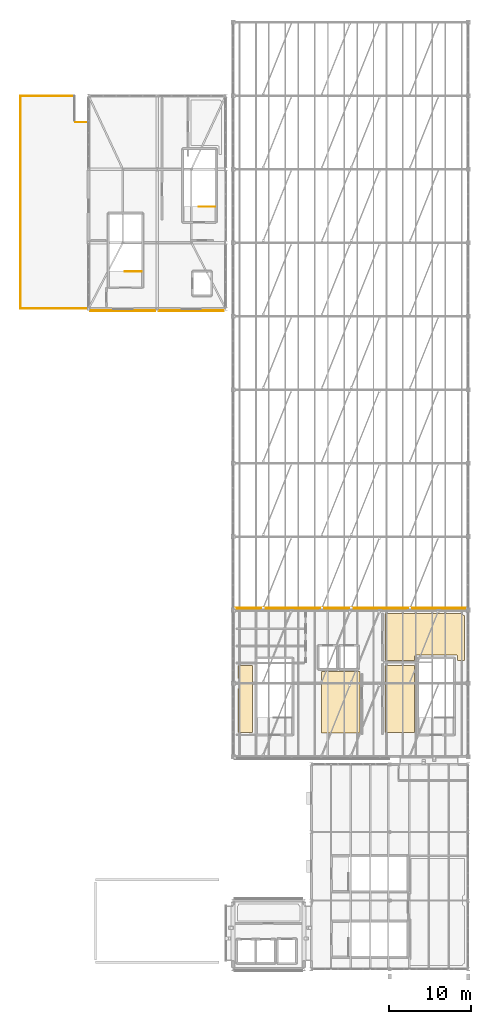
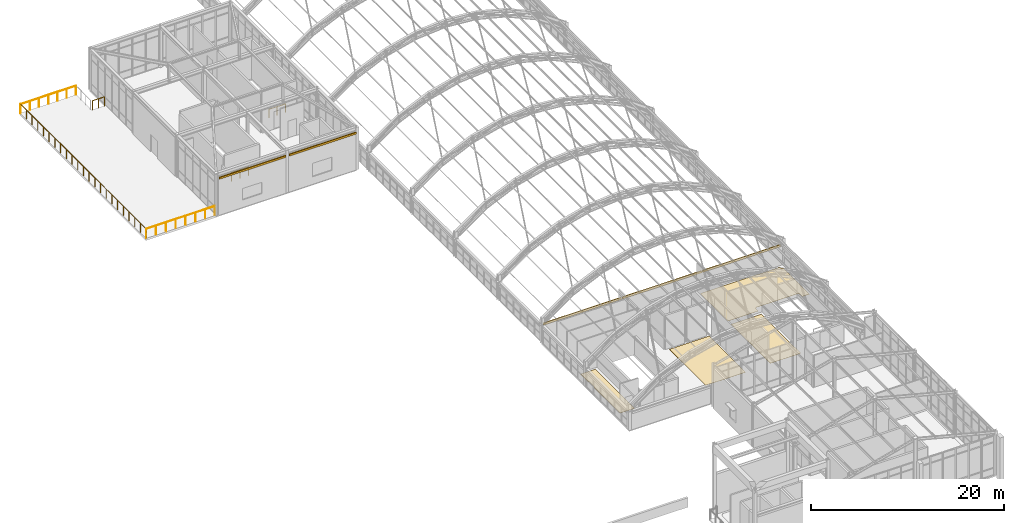
# One storey, part 120 of 121: 9 coverings, 6 railings.
"""IFC4 building model written with IfcOpenShell, lengths in metres."""

from ifc_helpers import new_model, si_unit, direction, frame, origin, origin_2d, place, context, subcontext, project, spatial, polyline, rectangle, circle, outline, extrude, material, layer, layer_set, type_object, element, save


model = new_model("IFC4")

# Units and contexts
model_context = context("Model", 3, precision=1e-05, world=origin(), true_north=direction((0.0, 1.0)))
body_context = subcontext(model_context, "Body", "Model", "MODEL_VIEW")
ifc_project = project(units=[si_unit("LENGTHUNIT", "METRE"), si_unit("AREAUNIT", "SQUARE_METRE"), si_unit("VOLUMEUNIT", "CUBIC_METRE"), si_unit("PLANEANGLEUNIT", "RADIAN"), si_unit("MASSUNIT", "GRAM", prefix="KILO")], contexts=[model_context])

# Site, building, storey
site_placement = place(None, origin())
site = spatial("IfcSite", under=ifc_project, at=site_placement, CompositionType="ELEMENT")
building_placement = place(site_placement, origin())
building = spatial("IfcBuilding", under=site, at=building_placement, Name="Canglan Escarpment Cableway Terminal", CompositionType="ELEMENT")
storey_placement = place(building_placement, frame((0.0, 0.0, 24.60009765625)))
storey = spatial("IfcBuildingStorey", under=building, at=storey_placement, Name="L05", CompositionType="ELEMENT", Elevation=24.60009765625)

# Coverings
ifc_material_1 = material(Name="Carved classical limestone cornice", Category="masonry")
ifc_layer_1 = layer(ifc_material_1, 0.1201171875, Name="Carved classical limestone cornice")
ifc_layer_set_1 = layer_set([ifc_layer_1], Name="Carved classical limestone cornice")
covering_type_1 = type_object("IfcCoveringType", Name="COV-CORNICE-STONE", PredefinedType="CLADDING", material=ifc_layer_set_1)
covering_1_placement = place(storey_placement, frame((124.114013671875, 88.669921875, 4.62109375), z_axis=(0.0, 0.0, 1.0), x_axis=(1.0, 0.0, 0.0)))
element("IfcCovering", 1, at=covering_1_placement, inside=storey, type_object=covering_type_1, Name="Classical carved limestone cornice CL-01", PredefinedType="CLADDING", context=body_context, shape_type="SweptSolid", body=[
    extrude(rectangle(XDim=7.97216796875, YDim=0.1201171875, at=origin_2d()), origin(), (0.0, 0.0, 1.0), 0.239990234375),
])
covering_2_placement = place(storey_placement, frame((132.487548828125, 88.669921875, 4.62109375), z_axis=(0.0, 0.0, 1.0), x_axis=(1.0, 0.0, 0.0)))
element("IfcCovering", 2, at=covering_2_placement, inside=storey, type_object=covering_type_1, Name="Classical carved limestone cornice CL-01", PredefinedType="CLADDING", context=body_context, shape_type="SweptSolid", body=[
    extrude(rectangle(XDim=7.97509765625, YDim=0.1201171875, at=origin_2d()), origin(), (0.0, 0.0, 1.0), 0.239990234375),
])
covering_3_placement = place(storey_placement, frame((142.487548828125, 52.219970703125, 2.08984375), z_axis=(0.0, 0.0, 1.0), x_axis=(-1.0, 0.0, 0.0)))
element("IfcCovering", 3, at=covering_3_placement, inside=storey, type_object=covering_type_1, Name="Classical carved limestone cornice CL-01", PredefinedType="CLADDING", context=body_context, shape_type="SweptSolid", body=[
    extrude(rectangle(XDim=9.324951171875, YDim=0.1201171875, at=origin_2d()), origin(), (0.0, 0.0, 1.0), 0.239990234375),
])
covering_4_placement = place(storey_placement, frame((152.0, 52.219970703125, 2.08984375), z_axis=(0.0, 0.0, 1.0), x_axis=(-1.0, 0.0, 0.0)))
element("IfcCovering", 4, at=covering_4_placement, inside=storey, type_object=covering_type_1, Name="Classical carved limestone cornice CL-01", PredefinedType="CLADDING", context=body_context, shape_type="SweptSolid", body=[
    extrude(rectangle(XDim=9.5, YDim=0.1201171875, at=origin_2d()), origin(), (0.0, 0.0, 1.0), 0.239990234375),
])
covering_5_placement = place(storey_placement, frame((161.512451171875, 52.219970703125, 2.08984375), z_axis=(0.0, 0.0, 1.0), x_axis=(-1.0, 0.0, 0.0)))
element("IfcCovering", 5, at=covering_5_placement, inside=storey, type_object=covering_type_1, Name="Classical carved limestone cornice CL-01", PredefinedType="CLADDING", context=body_context, shape_type="SweptSolid", body=[
    extrude(rectangle(XDim=9.324951171875, YDim=0.1201171875, at=origin_2d()), origin(), (0.0, 0.0, 1.0), 0.239990234375),
])
ifc_material_2 = material(Name="Honed Sichuan grey granite flooring", Category="masonry")
ifc_layer_2 = layer(ifc_material_2, 0.02001953125, Name="Honed Sichuan grey granite flooring")
ifc_layer_set_2 = layer_set([ifc_layer_2], Name="Honed Sichuan grey granite flooring")
covering_type_2 = type_object("IfcCoveringType", Name="COV-FLR-GRANITE-20", PredefinedType="FLOORING", material=ifc_layer_set_2)
covering_6_placement = place(storey_placement, origin())
element("IfcCovering", 6, at=covering_6_placement, inside=storey, type_object=covering_type_2, Name="Ropeway Dispatch Control Bridge stone floor finish", PredefinedType="FLOORING", context=body_context, shape_type="SweptSolid", body=[
    extrude(outline(polyline([(165.1201171875, 45.820068359375), (165.117919921875, 45.820068359375), (165.1162109375, 45.8203125), (165.1142578125, 45.82080078125), (165.1123046875, 45.821533203125), (165.110595703125, 45.822509765625), (165.10888671875, 45.823486328125), (165.107421875, 45.824462890625), (165.10595703125, 45.825927734375), (165.1044921875, 45.827392578125), (165.103515625, 45.828857421875), (165.102294921875, 45.83056640625), (165.1015625, 45.832275390625), (165.100830078125, 45.834228515625), (165.100341796875, 45.836181640625), (165.10009765625, 45.837890625), (165.10009765625, 45.840087890625), (165.10009765625, 46.27978515625), (165.10009765625, 46.2802734375), (165.09912109375, 46.301025390625), (165.098876953125, 46.302001953125), (165.095703125, 46.322509765625), (165.095703125, 46.323486328125), (165.090576171875, 46.343505859375), (165.09033203125, 46.34423828125), (165.08349609375, 46.36376953125), (165.0830078125, 46.364501953125), (165.07421875, 46.38330078125), (165.07373046875, 46.384033203125), (165.063232421875, 46.40185546875), (165.0625, 46.402587890625), (165.05029296875, 46.419189453125), (165.0498046875, 46.419921875), (165.035888671875, 46.435302734375), (165.03515625, 46.435791015625), (165.02001953125, 46.44970703125), (165.019287109375, 46.450439453125), (165.002685546875, 46.462646484375), (165.001708984375, 46.463134765625), (164.984130859375, 46.473876953125), (164.9833984375, 46.47412109375), (164.964599609375, 46.48291015625), (164.963623046875, 46.4833984375), (164.9443359375, 46.490478515625), (164.943359375, 46.490478515625), (164.92333984375, 46.49560546875), (164.92236328125, 46.495849609375), (164.902099609375, 46.498779296875), (164.901123046875, 46.4990234375), (164.880126953125, 46.5), (164.8798828125, 46.5), (160.0703125, 46.5), (160.06982421875, 46.5), (160.048828125, 46.4990234375), (160.048095703125, 46.498779296875), (160.027587890625, 46.495849609375), (160.026611328125, 46.49560546875), (160.006591796875, 46.490478515625), (160.005615234375, 46.490478515625), (159.986328125, 46.4833984375), (159.9853515625, 46.48291015625), (159.966796875, 46.47412109375), (159.9658203125, 46.473876953125), (159.9482421875, 46.463134765625), (159.947509765625, 46.462646484375), (159.930908203125, 46.450439453125), (159.93017578125, 46.44970703125), (159.914794921875, 46.435791015625), (159.9140625, 46.435302734375), (159.900390625, 46.419921875), (159.899658203125, 46.419189453125), (159.887451171875, 46.402587890625), (159.88671875, 46.40185546875), (159.876220703125, 46.384033203125), (159.875732421875, 46.38330078125), (159.866943359375, 46.364501953125), (159.86669921875, 46.36376953125), (159.859619140625, 46.34423828125), (159.859375, 46.343505859375), (159.854248046875, 46.323486328125), (159.854248046875, 46.322509765625), (159.85107421875, 46.302001953125), (159.85107421875, 46.301025390625), (159.85009765625, 46.2802734375), (159.85009765625, 46.27978515625), (159.85009765625, 45.840087890625), (159.849853515625, 45.837890625), (159.849609375, 45.836181640625), (159.84912109375, 45.834228515625), (159.848388671875, 45.832275390625), (159.84765625, 45.83056640625), (159.8466796875, 45.828857421875), (159.845458984375, 45.827392578125), (159.843994140625, 45.825927734375), (159.8427734375, 45.824462890625), (159.841064453125, 45.823486328125), (159.83935546875, 45.822509765625), (159.837646484375, 45.821533203125), (159.835693359375, 45.82080078125), (159.833984375, 45.8203125), (159.83203125, 45.820068359375), (159.830078125, 45.820068359375), (156.239990234375, 45.820068359375), (156.238037109375, 45.820068359375), (156.236083984375, 45.8203125), (156.234130859375, 45.82080078125), (156.232421875, 45.821533203125), (156.230712890625, 45.822509765625), (156.22900390625, 45.823486328125), (156.227294921875, 45.824462890625), (156.225830078125, 45.825927734375), (156.224609375, 45.827392578125), (156.223388671875, 45.828857421875), (156.222412109375, 45.83056640625), (156.221435546875, 45.832275390625), (156.220947265625, 45.834228515625), (156.220458984375, 45.836181640625), (156.22021484375, 45.837890625), (156.219970703125, 45.840087890625), (156.219970703125, 51.56005859375), (156.22021484375, 51.56201171875), (156.220458984375, 51.56396484375), (156.220947265625, 51.56591796875), (156.221435546875, 51.567626953125), (156.222412109375, 51.5693359375), (156.223388671875, 51.571044921875), (156.224609375, 51.57275390625), (156.225830078125, 51.57421875), (156.227294921875, 51.575439453125), (156.22900390625, 51.57666015625), (156.230712890625, 51.57763671875), (156.232421875, 51.57861328125), (156.234130859375, 51.5791015625), (156.236083984375, 51.57958984375), (156.238037109375, 51.579833984375), (156.239990234375, 51.580078125), (165.699951171875, 51.580078125), (165.701904296875, 51.579833984375), (165.703857421875, 51.57958984375), (165.705810546875, 51.5791015625), (165.707763671875, 51.57861328125), (165.70947265625, 51.57763671875), (165.711181640625, 51.57666015625), (165.712646484375, 51.575439453125), (165.714111328125, 51.57421875), (165.715576171875, 51.57275390625), (165.716552734375, 51.571044921875), (165.717529296875, 51.5693359375), (165.718505859375, 51.567626953125), (165.718994140625, 51.56591796875), (165.719482421875, 51.56396484375), (165.719970703125, 51.56201171875), (165.719970703125, 51.56005859375), (165.719970703125, 51.540283203125), (165.719970703125, 51.539794921875), (165.720947265625, 51.518798828125), (165.72119140625, 51.51806640625), (165.72412109375, 51.49755859375), (165.724365234375, 51.49658203125), (165.7294921875, 51.4765625), (165.7294921875, 51.4755859375), (165.736572265625, 51.456298828125), (165.737060546875, 51.455322265625), (165.745849609375, 51.436767578125), (165.74609375, 51.435791015625), (165.7568359375, 51.418212890625), (165.75732421875, 51.41748046875), (165.76953125, 51.40087890625), (165.770263671875, 51.400146484375), (165.7841796875, 51.384765625), (165.784912109375, 51.384033203125), (165.800048828125, 51.370361328125), (165.80078125, 51.36962890625), (165.8173828125, 51.357421875), (165.818115234375, 51.356689453125), (165.8359375, 51.34619140625), (165.836669921875, 51.345703125), (165.85546875, 51.3369140625), (165.856201171875, 51.336669921875), (165.875732421875, 51.32958984375), (165.876708984375, 51.329345703125), (165.896484375, 51.32421875), (165.897705078125, 51.32421875), (165.91796875, 51.321044921875), (165.9189453125, 51.321044921875), (165.939697265625, 51.320068359375), (165.940185546875, 51.320068359375), (165.9599609375, 51.320068359375), (165.9619140625, 51.31982421875), (165.9638671875, 51.319580078125), (165.9658203125, 51.319091796875), (165.9677734375, 51.318603515625), (165.969482421875, 51.317626953125), (165.97119140625, 51.316650390625), (165.97265625, 51.3154296875), (165.97412109375, 51.314208984375), (165.9755859375, 51.312744140625), (165.9765625, 51.31103515625), (165.9775390625, 51.309326171875), (165.978515625, 51.3076171875), (165.97900390625, 51.305908203125), (165.9794921875, 51.303955078125), (165.97998046875, 51.302001953125), (165.97998046875, 51.300048828125), (165.97998046875, 45.840087890625), (165.97998046875, 45.837890625), (165.9794921875, 45.836181640625), (165.97900390625, 45.834228515625), (165.978515625, 45.832275390625), (165.9775390625, 45.83056640625), (165.9765625, 45.828857421875), (165.9755859375, 45.827392578125), (165.97412109375, 45.825927734375), (165.97265625, 45.824462890625), (165.97119140625, 45.823486328125), (165.969482421875, 45.822509765625), (165.9677734375, 45.821533203125), (165.9658203125, 45.82080078125), (165.9638671875, 45.8203125), (165.9619140625, 45.820068359375), (165.9599609375, 45.820068359375), (165.1201171875, 45.820068359375)])), origin(), (0.0, 0.0, 1.0), 0.02001953125),
])
covering_7_placement = place(storey_placement, origin())
element("IfcCovering", 7, at=covering_7_placement, inside=storey, type_object=covering_type_2, Name="Line Safety Command Room stone floor finish", PredefinedType="FLOORING", context=body_context, shape_type="SweptSolid", body=[
    extrude(outline(polyline([(156.219970703125, 45.159912109375), (156.22021484375, 45.162109375), (156.220458984375, 45.163818359375), (156.220947265625, 45.165771484375), (156.221435546875, 45.167724609375), (156.222412109375, 45.16943359375), (156.223388671875, 45.171142578125), (156.224609375, 45.172607421875), (156.225830078125, 45.174072265625), (156.227294921875, 45.175537109375), (156.22900390625, 45.176513671875), (156.230712890625, 45.177490234375), (156.232421875, 45.178466796875), (156.234130859375, 45.17919921875), (156.236083984375, 45.1796875), (156.238037109375, 45.179931640625), (156.239990234375, 45.179931640625), (159.830078125, 45.179931640625), (159.83203125, 45.179931640625), (159.833984375, 45.1796875), (159.835693359375, 45.17919921875), (159.837646484375, 45.178466796875), (159.83935546875, 45.177490234375), (159.841064453125, 45.176513671875), (159.8427734375, 45.175537109375), (159.843994140625, 45.174072265625), (159.845458984375, 45.172607421875), (159.8466796875, 45.171142578125), (159.84765625, 45.16943359375), (159.848388671875, 45.167724609375), (159.84912109375, 45.165771484375), (159.849609375, 45.163818359375), (159.849853515625, 45.162109375), (159.85009765625, 45.159912109375), (159.85009765625, 37.0400390625), (159.849853515625, 37.0380859375), (159.849609375, 37.0361328125), (159.84912109375, 37.0341796875), (159.848388671875, 37.0322265625), (159.84765625, 37.030517578125), (159.8466796875, 37.02880859375), (159.845458984375, 37.02734375), (159.843994140625, 37.02587890625), (159.8427734375, 37.0244140625), (159.841064453125, 37.0234375), (159.83935546875, 37.0224609375), (159.837646484375, 37.021484375), (159.835693359375, 37.02099609375), (159.833984375, 37.0205078125), (159.83203125, 37.02001953125), (159.830078125, 37.02001953125), (156.239990234375, 37.02001953125), (156.238037109375, 37.02001953125), (156.236083984375, 37.0205078125), (156.234130859375, 37.02099609375), (156.232421875, 37.021484375), (156.230712890625, 37.0224609375), (156.22900390625, 37.0234375), (156.227294921875, 37.0244140625), (156.225830078125, 37.02587890625), (156.224609375, 37.02734375), (156.223388671875, 37.02880859375), (156.222412109375, 37.030517578125), (156.221435546875, 37.0322265625), (156.220947265625, 37.0341796875), (156.220458984375, 37.0361328125), (156.22021484375, 37.0380859375), (156.219970703125, 37.0400390625), (156.219970703125, 45.159912109375)])), origin(), (0.0, 0.0, 1.0), 0.02001953125),
])
ifc_material_3 = material(Name="Polished mineral terrazzo flooring", Category="concrete")
ifc_layer_3 = layer(ifc_material_3, 0.02001953125, Name="Polished mineral terrazzo flooring")
ifc_layer_set_3 = layer_set([ifc_layer_3], Name="Polished mineral terrazzo flooring")
covering_type_3 = type_object("IfcCoveringType", Name="COV-FLR-TERRAZZO-20", PredefinedType="FLOORING", material=ifc_layer_set_3)
covering_8_placement = place(storey_placement, origin())
element("IfcCovering", 8, at=covering_8_placement, inside=storey, type_object=covering_type_3, Name="Cloud Sea Tea Salon stone floor finish", PredefinedType="FLOORING", context=body_context, shape_type="SweptSolid", body=[
    extrude(outline(polyline([(138.219970703125, 42.381591796875), (138.22021484375, 42.3837890625), (138.220458984375, 42.3857421875), (138.220947265625, 42.3876953125), (138.2216796875, 42.389892578125), (138.22265625, 42.3916015625), (138.223876953125, 42.393310546875), (138.22509765625, 42.39501953125), (138.229736328125, 42.400146484375), (138.23046875, 42.40087890625), (138.24267578125, 42.41748046875), (138.2431640625, 42.418212890625), (138.25390625, 42.435791015625), (138.254150390625, 42.436767578125), (138.262939453125, 42.455322265625), (138.263427734375, 42.456298828125), (138.2705078125, 42.4755859375), (138.2705078125, 42.4765625), (138.275634765625, 42.49658203125), (138.27587890625, 42.49755859375), (138.27880859375, 42.51806640625), (138.279052734375, 42.518798828125), (138.280029296875, 42.539794921875), (138.280029296875, 42.540283203125), (138.280029296875, 43.459716796875), (138.280029296875, 43.460205078125), (138.279052734375, 43.481201171875), (138.27880859375, 43.48193359375), (138.27587890625, 43.50244140625), (138.275634765625, 43.50341796875), (138.2705078125, 43.5234375), (138.2705078125, 43.5244140625), (138.263427734375, 43.543701171875), (138.262939453125, 43.544677734375), (138.254150390625, 43.563232421875), (138.25390625, 43.564208984375), (138.2431640625, 43.581787109375), (138.24267578125, 43.58251953125), (138.23046875, 43.59912109375), (138.229736328125, 43.599853515625), (138.22509765625, 43.60498046875), (138.223876953125, 43.606689453125), (138.22265625, 43.6083984375), (138.2216796875, 43.610107421875), (138.220947265625, 43.6123046875), (138.220458984375, 43.6142578125), (138.22021484375, 43.6162109375), (138.219970703125, 43.618408203125), (138.219970703125, 45.159912109375), (138.22021484375, 45.162109375), (138.220458984375, 45.163818359375), (138.220947265625, 45.165771484375), (138.221435546875, 45.167724609375), (138.222412109375, 45.16943359375), (138.223388671875, 45.171142578125), (138.224609375, 45.172607421875), (138.225830078125, 45.174072265625), (138.227294921875, 45.175537109375), (138.22900390625, 45.176513671875), (138.230712890625, 45.177490234375), (138.232421875, 45.178466796875), (138.234130859375, 45.17919921875), (138.236083984375, 45.1796875), (138.238037109375, 45.179931640625), (138.239990234375, 45.179931640625), (139.9599609375, 45.179931640625), (139.9619140625, 45.179931640625), (139.9638671875, 45.1796875), (139.9658203125, 45.17919921875), (139.9677734375, 45.178466796875), (139.969482421875, 45.177490234375), (139.97119140625, 45.176513671875), (139.97265625, 45.175537109375), (139.97412109375, 45.174072265625), (139.9755859375, 45.172607421875), (139.9765625, 45.171142578125), (139.9775390625, 45.16943359375), (139.978515625, 45.167724609375), (139.97900390625, 45.165771484375), (139.9794921875, 45.163818359375), (139.97998046875, 45.162109375), (139.97998046875, 45.159912109375), (139.97998046875, 37.0400390625), (139.97998046875, 37.0380859375), (139.9794921875, 37.0361328125), (139.97900390625, 37.0341796875), (139.978515625, 37.0322265625), (139.9775390625, 37.030517578125), (139.9765625, 37.02880859375), (139.9755859375, 37.02734375), (139.97412109375, 37.02587890625), (139.97265625, 37.0244140625), (139.97119140625, 37.0234375), (139.969482421875, 37.0224609375), (139.9677734375, 37.021484375), (139.9658203125, 37.02099609375), (139.9638671875, 37.0205078125), (139.9619140625, 37.02001953125), (139.9599609375, 37.02001953125), (138.239990234375, 37.02001953125), (138.238037109375, 37.02001953125), (138.236083984375, 37.0205078125), (138.234130859375, 37.02099609375), (138.232421875, 37.021484375), (138.230712890625, 37.0224609375), (138.22900390625, 37.0234375), (138.227294921875, 37.0244140625), (138.225830078125, 37.02587890625), (138.224609375, 37.02734375), (138.223388671875, 37.02880859375), (138.222412109375, 37.030517578125), (138.221435546875, 37.0322265625), (138.220947265625, 37.0341796875), (138.220458984375, 37.0361328125), (138.22021484375, 37.0380859375), (138.219970703125, 37.0400390625), (138.219970703125, 42.381591796875)])), origin(), (0.0, 0.0, 1.0), 0.02001953125),
])
covering_9_placement = place(storey_placement, origin())
element("IfcCovering", 9, at=covering_9_placement, inside=storey, type_object=covering_type_3, Name="Executive Briefing Room stone floor finish", PredefinedType="FLOORING", context=body_context, shape_type="SweptSolid", body=[
    extrude(outline(polyline([(150.493408203125, 44.472900390625), (150.4951171875, 44.473388671875), (150.4970703125, 44.473876953125), (150.4990234375, 44.47412109375), (150.5009765625, 44.47412109375), (150.5029296875, 44.473876953125), (150.5048828125, 44.473388671875), (150.506591796875, 44.472900390625), (150.515625, 44.469482421875), (150.5166015625, 44.469482421875), (150.53662109375, 44.46435546875), (150.53759765625, 44.464111328125), (150.55810546875, 44.461181640625), (150.558837890625, 44.4609375), (150.579833984375, 44.4599609375), (150.580078125, 44.4599609375), (153.019775390625, 44.4599609375), (153.020263671875, 44.4599609375), (153.041015625, 44.4609375), (153.0419921875, 44.461181640625), (153.0625, 44.464111328125), (153.0634765625, 44.46435546875), (153.08349609375, 44.469482421875), (153.084228515625, 44.469482421875), (153.103759765625, 44.4765625), (153.1044921875, 44.47705078125), (153.123291015625, 44.48583984375), (153.1240234375, 44.486083984375), (153.141845703125, 44.496826171875), (153.142578125, 44.497314453125), (153.148193359375, 44.50146484375), (153.14990234375, 44.50244140625), (153.151611328125, 44.50341796875), (153.1533203125, 44.504150390625), (153.1552734375, 44.5048828125), (153.1572265625, 44.505126953125), (153.1591796875, 44.50537109375), (153.161376953125, 44.50537109375), (153.163330078125, 44.505126953125), (153.165283203125, 44.504638671875), (153.167236328125, 44.50390625), (153.1689453125, 44.503173828125), (153.170654296875, 44.502197265625), (153.17236328125, 44.501220703125), (153.173828125, 44.499755859375), (153.17529296875, 44.498291015625), (153.176513671875, 44.49658203125), (153.177490234375, 44.4951171875), (153.178466796875, 44.4931640625), (153.17919921875, 44.4912109375), (153.1796875, 44.4892578125), (153.179931640625, 44.4873046875), (153.179931640625, 44.4853515625), (153.179931640625, 36.93994140625), (153.179931640625, 36.93798828125), (153.1796875, 36.93603515625), (153.17919921875, 36.93408203125), (153.178466796875, 36.932373046875), (153.177490234375, 36.9306640625), (153.176513671875, 36.928955078125), (153.175537109375, 36.92724609375), (153.174072265625, 36.92578125), (153.172607421875, 36.924560546875), (153.171142578125, 36.92333984375), (153.16943359375, 36.92236328125), (153.167724609375, 36.92138671875), (153.165771484375, 36.9208984375), (153.163818359375, 36.92041015625), (153.162109375, 36.920166015625), (153.159912109375, 36.919921875), (148.43994140625, 36.919921875), (148.43798828125, 36.920166015625), (148.43603515625, 36.92041015625), (148.43408203125, 36.9208984375), (148.432373046875, 36.92138671875), (148.4306640625, 36.92236328125), (148.428955078125, 36.92333984375), (148.42724609375, 36.924560546875), (148.42578125, 36.92578125), (148.424560546875, 36.92724609375), (148.42333984375, 36.928955078125), (148.42236328125, 36.9306640625), (148.42138671875, 36.932373046875), (148.4208984375, 36.93408203125), (148.42041015625, 36.93603515625), (148.420166015625, 36.93798828125), (148.419921875, 36.93994140625), (148.419921875, 44.43994140625), (148.420166015625, 44.44189453125), (148.42041015625, 44.44384765625), (148.4208984375, 44.44580078125), (148.42138671875, 44.44775390625), (148.42236328125, 44.449462890625), (148.42333984375, 44.451171875), (148.424560546875, 44.45263671875), (148.42578125, 44.4541015625), (148.42724609375, 44.45556640625), (148.428955078125, 44.45654296875), (148.4306640625, 44.45751953125), (148.432373046875, 44.45849609375), (148.43408203125, 44.458984375), (148.43603515625, 44.459716796875), (148.43798828125, 44.4599609375), (148.43994140625, 44.4599609375), (150.419921875, 44.4599609375), (150.420166015625, 44.4599609375), (150.441162109375, 44.4609375), (150.44189453125, 44.461181640625), (150.46240234375, 44.464111328125), (150.46337890625, 44.46435546875), (150.4833984375, 44.469482421875), (150.484375, 44.469482421875), (150.493408203125, 44.472900390625)])), origin(), (0.0, 0.0, 1.0), 0.02001953125),
])

# Railings
ifc_material_4 = material(Name="Carved limestone and anodized bronze balustrade", Category="masonry")
railing_type_1 = type_object("IfcRailingType", Name="RL-EXT-BALUSTRADE-1200", PredefinedType="BALUSTRADE", material=ifc_material_4)
railing_1_placement = place(storey_placement, frame((111.550048828125, 88.9501953125, 0.0)))
element("IfcRailing", 10, at=railing_1_placement, inside=storey, type_object=railing_type_1, Name="Classical terrace balustrade guard GD-01 (L05)", PredefinedType="BALUSTRADE", context=body_context, shape_type="SweptSolid", body=[
    extrude(circle(Radius=0.02392578125, at=origin_2d()), frame((0.0, 0.0, 1.17578125), z_axis=(0.0, 1.0, 0.0), x_axis=(-1.0, 0.0, 0.0)), (0.0, 0.0, 1.0), 25.997802734375),
    extrude(circle(Radius=0.02099609375, at=origin_2d()), origin(), (0.0, 0.0, 1.0), 1.15185546875),
    extrude(circle(Radius=0.02099609375, at=origin_2d()), frame((0.0, 1.181640625, 0.0)), (0.0, 0.0, 1.0), 1.15185546875),
    extrude(circle(Radius=0.02099609375, at=origin_2d()), frame((0.0, 2.363525390625, 0.0)), (0.0, 0.0, 1.0), 1.15185546875),
    extrude(circle(Radius=0.02099609375, at=origin_2d()), frame((0.0, 3.545166015625, 0.0)), (0.0, 0.0, 1.0), 1.15185546875),
    extrude(circle(Radius=0.02099609375, at=origin_2d()), frame((0.0, 4.726806640625, 0.0)), (0.0, 0.0, 1.0), 1.15185546875),
    extrude(circle(Radius=0.02099609375, at=origin_2d()), frame((0.0, 5.90869140625, 0.0)), (0.0, 0.0, 1.0), 1.15185546875),
    extrude(circle(Radius=0.02099609375, at=origin_2d()), frame((0.0, 7.09033203125, 0.0)), (0.0, 0.0, 1.0), 1.15185546875),
    extrude(circle(Radius=0.02099609375, at=origin_2d()), frame((0.0, 8.27197265625, 0.0)), (0.0, 0.0, 1.0), 1.15185546875),
    extrude(circle(Radius=0.02099609375, at=origin_2d()), frame((0.0, 9.453857421875, 0.0)), (0.0, 0.0, 1.0), 1.15185546875),
    extrude(circle(Radius=0.02099609375, at=origin_2d()), frame((0.0, 10.635498046875, 0.0)), (0.0, 0.0, 1.0), 1.15185546875),
    extrude(circle(Radius=0.02099609375, at=origin_2d()), frame((0.0, 11.817138671875, 0.0)), (0.0, 0.0, 1.0), 1.15185546875),
    extrude(circle(Radius=0.02099609375, at=origin_2d()), frame((0.0, 12.9990234375, 0.0)), (0.0, 0.0, 1.0), 1.15185546875),
    extrude(circle(Radius=0.02099609375, at=origin_2d()), frame((0.0, 14.1806640625, 0.0)), (0.0, 0.0, 1.0), 1.15185546875),
    extrude(circle(Radius=0.02099609375, at=origin_2d()), frame((0.0, 15.3623046875, 0.0)), (0.0, 0.0, 1.0), 1.15185546875),
    extrude(circle(Radius=0.02099609375, at=origin_2d()), frame((0.0, 16.5439453125, 0.0)), (0.0, 0.0, 1.0), 1.15185546875),
    extrude(circle(Radius=0.02099609375, at=origin_2d()), frame((0.0, 17.725830078125, 0.0)), (0.0, 0.0, 1.0), 1.15185546875),
    extrude(circle(Radius=0.02099609375, at=origin_2d()), frame((0.0, 18.907470703125, 0.0)), (0.0, 0.0, 1.0), 1.15185546875),
    extrude(circle(Radius=0.02099609375, at=origin_2d()), frame((0.0, 20.089111328125, 0.0)), (0.0, 0.0, 1.0), 1.15185546875),
    extrude(circle(Radius=0.02099609375, at=origin_2d()), frame((0.0, 21.27099609375, 0.0)), (0.0, 0.0, 1.0), 1.15185546875),
    extrude(circle(Radius=0.02099609375, at=origin_2d()), frame((0.0, 22.45263671875, 0.0)), (0.0, 0.0, 1.0), 1.15185546875),
    extrude(circle(Radius=0.02099609375, at=origin_2d()), frame((0.0, 23.63427734375, 0.0)), (0.0, 0.0, 1.0), 1.15185546875),
    extrude(circle(Radius=0.02099609375, at=origin_2d()), frame((0.0, 24.816162109375, 0.0)), (0.0, 0.0, 1.0), 1.15185546875),
    extrude(circle(Radius=0.02099609375, at=origin_2d()), frame((0.0, 25.997802734375, 0.0)), (0.0, 0.0, 1.0), 1.15185546875),
])
railing_2_placement = place(storey_placement, frame((111.550048828125, 114.947998046875, 0.0)))
element("IfcRailing", 11, at=railing_2_placement, inside=storey, type_object=railing_type_1, Name="Classical terrace balustrade guard GD-01 (L05)", PredefinedType="BALUSTRADE", context=body_context, shape_type="SweptSolid", body=[
    extrude(circle(Radius=0.02392578125, at=origin_2d()), frame((0.0, 0.0, 1.17578125), z_axis=(0.99999995645, 0.000295126707, 0.0), x_axis=(-0.000295126707, 0.99999995645, 0.0)), (0.0, 0.0, 1.0), 6.617919921875),
    extrude(circle(Radius=0.02099609375, at=origin_2d()), origin(), (0.0, 0.0, 1.0), 1.15185546875),
    extrude(circle(Radius=0.02099609375, at=origin_2d()), frame((1.10302734375, 0.000244140625, 0.0)), (0.0, 0.0, 1.0), 1.15185546875),
    extrude(circle(Radius=0.02099609375, at=origin_2d()), frame((2.2060546875, 0.000732421875, 0.0)), (0.0, 0.0, 1.0), 1.15185546875),
    extrude(circle(Radius=0.02099609375, at=origin_2d()), frame((3.30908203125, 0.0009765625, 0.0)), (0.0, 0.0, 1.0), 1.15185546875),
    extrude(circle(Radius=0.02099609375, at=origin_2d()), frame((4.411865234375, 0.001220703125, 0.0)), (0.0, 0.0, 1.0), 1.15185546875),
    extrude(circle(Radius=0.02099609375, at=origin_2d()), frame((5.514892578125, 0.001708984375, 0.0)), (0.0, 0.0, 1.0), 1.15185546875),
    extrude(circle(Radius=0.02099609375, at=origin_2d()), frame((6.617919921875, 0.001953125, 0.0)), (0.0, 0.0, 1.0), 1.15185546875),
])
railing_3_placement = place(storey_placement, frame((118.3193359375, 111.756103515625, 0.0)))
element("IfcRailing", 12, at=railing_3_placement, inside=storey, type_object=railing_type_1, Name="Classical terrace balustrade guard GD-01 (L05)", PredefinedType="BALUSTRADE", context=body_context, shape_type="SweptSolid", body=[
    extrude(circle(Radius=0.02392578125, at=origin_2d()), frame((0.0, 0.0, 1.17578125), z_axis=(0.999990368281, -0.00438900267, 0.0), x_axis=(0.00438900267, 0.999990368281, 0.0)), (0.0, 0.0, 1.0), 1.390625),
    extrude(circle(Radius=0.02099609375, at=origin_2d()), origin(), (0.0, 0.0, 1.0), 1.15185546875),
    extrude(circle(Radius=0.02099609375, at=origin_2d()), frame((0.6953125, -0.0029296875, 0.0)), (0.0, 0.0, 1.0), 1.15185546875),
    extrude(circle(Radius=0.02099609375, at=origin_2d()), frame((1.390625, -0.006103515625, 0.0)), (0.0, 0.0, 1.0), 1.15185546875),
])
railing_4_placement = place(storey_placement, frame((119.789306640625, 88.949951171875, 0.0)))
element("IfcRailing", 13, at=railing_4_placement, inside=storey, type_object=railing_type_1, Name="Classical terrace balustrade guard GD-01 (L05)", PredefinedType="BALUSTRADE", context=body_context, shape_type="SweptSolid", body=[
    extrude(circle(Radius=0.02392578125, at=origin_2d()), frame((0.0, 0.0, 1.17578125), z_axis=(-1.0, 0.0, 0.0), x_axis=(0.0, -1.0, 0.0)), (0.0, 0.0, 1.0), 8.2373046875),
    extrude(circle(Radius=0.02099609375, at=origin_2d()), origin(), (0.0, 0.0, 1.0), 1.15185546875),
    extrude(circle(Radius=0.02099609375, at=origin_2d()), frame((-1.1767578125, 0.0, 0.0)), (0.0, 0.0, 1.0), 1.15185546875),
    extrude(circle(Radius=0.02099609375, at=origin_2d()), frame((-2.353515625, 0.0, 0.0)), (0.0, 0.0, 1.0), 1.15185546875),
    extrude(circle(Radius=0.02099609375, at=origin_2d()), frame((-3.5302734375, 0.0, 0.0)), (0.0, 0.0, 1.0), 1.15185546875),
    extrude(circle(Radius=0.02099609375, at=origin_2d()), frame((-4.70703125, 0.0, 0.0)), (0.0, 0.0, 1.0), 1.15185546875),
    extrude(circle(Radius=0.02099609375, at=origin_2d()), frame((-5.8837890625, 0.0, 0.0)), (0.0, 0.0, 1.0), 1.15185546875),
    extrude(circle(Radius=0.02099609375, at=origin_2d()), frame((-7.060546875, 0.0, 0.0)), (0.0, 0.0, 1.0), 1.15185546875),
    extrude(circle(Radius=0.02099609375, at=origin_2d()), frame((-8.2373046875, 0.0, 0.0)), (0.0, 0.0, 1.0), 1.15185546875),
])
ifc_material_5 = material(Name="Powder-coated steel stair balustrade", Category="steel")
railing_type_2 = type_object("IfcRailingType", Name="RL-STR-GUARD-1100", PredefinedType="BALUSTRADE", material=ifc_material_5)
railing_5_placement = place(storey_placement, frame((126.39990234375, 93.449951171875, 0.0)))
element("IfcRailing", 14, at=railing_5_placement, inside=storey, type_object=railing_type_2, Name="L05 ST-12 top well guard 1", PredefinedType="BALUSTRADE", context=body_context, shape_type="SweptSolid", body=[
    extrude(circle(Radius=0.02392578125, at=origin_2d()), frame((0.0, 0.0, 1.076171875), z_axis=(-1.0, 0.0, 0.0), x_axis=(0.0, -1.0, 0.0)), (0.0, 0.0, 1.0), 2.0498046875),
    extrude(circle(Radius=0.02099609375, at=origin_2d()), origin(), (0.0, 0.0, 1.0), 1.052001953125),
    extrude(circle(Radius=0.02099609375, at=origin_2d()), frame((-1.02490234375, 0.0, 0.0)), (0.0, 0.0, 1.0), 1.052001953125),
    extrude(circle(Radius=0.02099609375, at=origin_2d()), frame((-2.0498046875, 0.0, 0.0)), (0.0, 0.0, 1.0), 1.052001953125),
])
railing_6_placement = place(storey_placement, frame((135.39990234375, 101.39990234375, 0.0)))
element("IfcRailing", 15, at=railing_6_placement, inside=storey, type_object=railing_type_2, Name="L05 ST-18 top well guard 1", PredefinedType="BALUSTRADE", context=body_context, shape_type="SweptSolid", body=[
    extrude(circle(Radius=0.02392578125, at=origin_2d()), frame((0.0, 0.0, 1.076171875), z_axis=(-1.0, 0.0, 0.0), x_axis=(0.0, -1.0, 0.0)), (0.0, 0.0, 1.0), 2.0),
    extrude(circle(Radius=0.02099609375, at=origin_2d()), origin(), (0.0, 0.0, 1.0), 1.052001953125),
    extrude(circle(Radius=0.02099609375, at=origin_2d()), frame((-1.0, 0.0, 0.0)), (0.0, 0.0, 1.0), 1.052001953125),
    extrude(circle(Radius=0.02099609375, at=origin_2d()), frame((-2.0, 0.0, 0.0)), (0.0, 0.0, 1.0), 1.052001953125),
])

save(model, "model.ifc")
